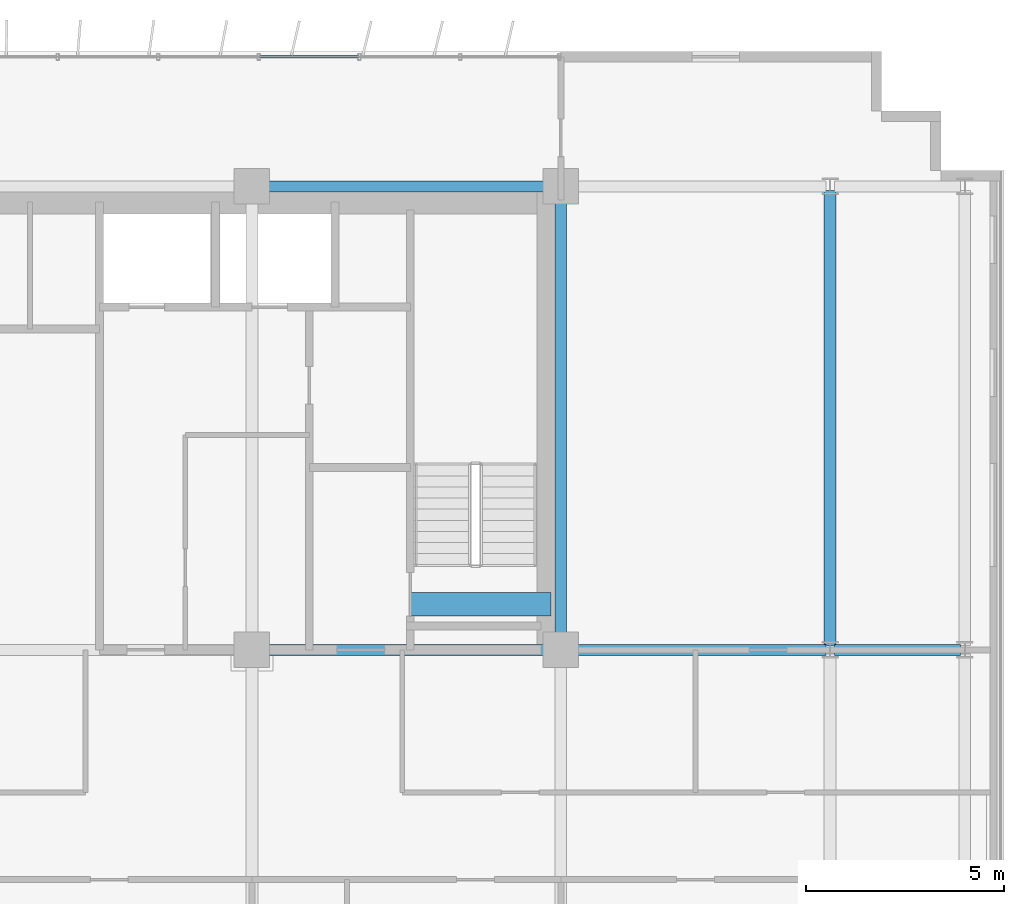
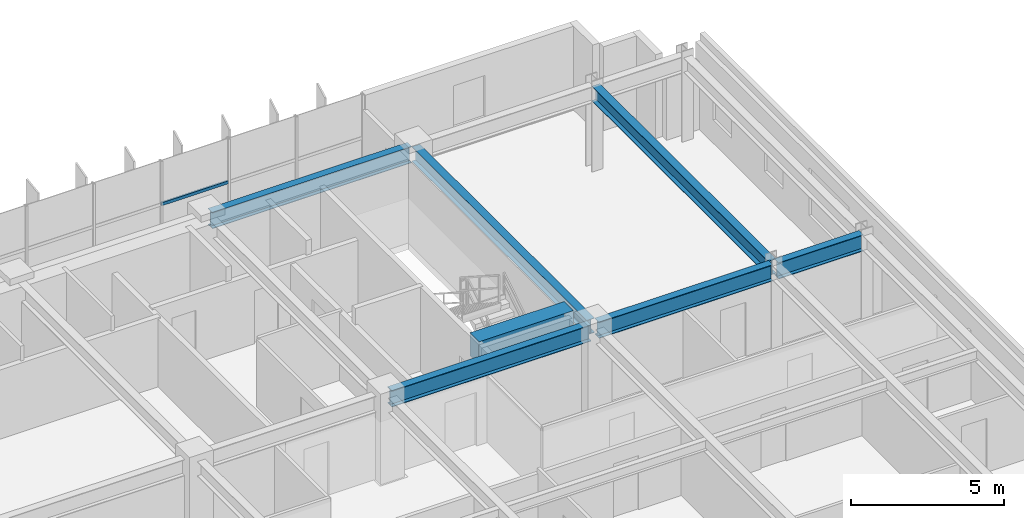
# One storey, part 11 of 22: 7 beams, 1 member, 1 element without a shape of its own.
"""IFC4 building model written with IfcOpenShell, lengths in metres."""

from ifc_helpers import new_model, si_unit, direction, frame, origin, origin_2d, place, context, subcontext, project, spatial, rectangle, hollow_rectangle, i_section, extrude, source, transform, mapped, material, material_profile, profile_set, type_object, element, aggregate, save


model = new_model("IFC4")

# Units and contexts
model_context = context("Model", 3, precision=1e-05, world=origin(), true_north=direction((0.0, 1.0)))
body_context = subcontext(model_context, "Body", "Model", "MODEL_VIEW")
ifc_project = project(units=[si_unit("LENGTHUNIT", "METRE"), si_unit("AREAUNIT", "SQUARE_METRE"), si_unit("VOLUMEUNIT", "CUBIC_METRE"), si_unit("PLANEANGLEUNIT", "RADIAN"), si_unit("MASSUNIT", "GRAM", prefix="KILO")], contexts=[model_context])

# Site, building, storey
site_placement = place(None, origin())
site = spatial("IfcSite", under=ifc_project, at=site_placement, CompositionType="ELEMENT")
building_placement = place(site_placement, origin())
building = spatial("IfcBuilding", under=site, at=building_placement, Name="Trelvane Seafront Commons", CompositionType="ELEMENT")
storey_placement = place(building_placement, frame((0.0, 0.0, 55.89990234375)))
storey = spatial("IfcBuildingStorey", under=building, at=storey_placement, Name="L14", CompositionType="ELEMENT", Elevation=55.89990234375)

# Beams
ifc_material_1 = material(Name="Concrete C60/75", Category="concrete")
ifc_material_profile_1 = material_profile(ifc_material_1, rectangle(XDim=0.60009765625, YDim=0.89990234375, at=origin_2d()), Name="RC-600x900")
ifc_profile_set_1 = profile_set([ifc_material_profile_1], Name="Concrete C60/75")
beam_type_1 = type_object("IfcBeamType", Name="STR-LNT-RC600x900", PredefinedType="LINTEL", material=ifc_profile_set_1)
shared_shape_1 = source(origin(), body_context, "Body", "SweptSolid", [
    extrude(rectangle(XDim=0.60009765625, YDim=0.89990234375, at=origin_2d()), origin(), (0.0, 0.0, 1.0), 3.550048828125),
])
beam_1_placement = place(storey_placement, frame((55.0, 34.550048828125, 2.89013671875), z_axis=(1.0, 0.0, 0.0), x_axis=(0.0, 1.0, 0.0)))
element("IfcBeam", 1, at=beam_1_placement, inside=storey, type_object=beam_type_1, Name="L14 Core Coupling Lintel Beam CB-86", PredefinedType="LINTEL", context=body_context, shape_type="MappedRepresentation", body=[
    mapped(shared_shape_1, transform((0.0, 0.0, 0.0), x_axis=(1.0, 0.0, 0.0), y_axis=(0.0, 1.0, 0.0), z_axis=(0.0, 0.0, 1.0), scale=1.0)),
])
ifc_material_2 = material(Name="Steel SM355 (S355)", Category="steel")
ifc_material_profile_2 = material_profile(ifc_material_2, i_section(OverallWidth=0.280029296875, OverallDepth=0.64990234375, WebThickness=0.012939453125, FlangeThickness=0.02197265625, at=origin_2d()), Name="H-650x280x13x22")
ifc_profile_set_2 = profile_set([ifc_material_profile_2], Name="Steel SM355 (S355)")
beam_type_2 = type_object("IfcBeamType", Name="STR-BM-H650", PredefinedType="BEAM", material=ifc_profile_set_2)
shared_shape_2 = source(origin(), body_context, "Body", "SweptSolid", [
    extrude(i_section(OverallWidth=0.280029296875, OverallDepth=0.64990234375, WebThickness=0.012939453125, FlangeThickness=0.02197265625, at=origin_2d()), origin(), (0.0, 0.0, 1.0), 3.18994140625),
])
beam_2_placement = place(storey_placement, frame((65.705078125, 33.39990234375, 3.01513671875), z_axis=(1.0, 0.0, 0.0), x_axis=(0.0, 1.0, 0.0)))
element("IfcBeam", 2, at=beam_2_placement, inside=storey, type_object=beam_type_2, Name="L14 Primary Girder G-27", PredefinedType="BEAM", context=body_context, shape_type="MappedRepresentation", body=[
    mapped(shared_shape_2, transform((0.0, 0.0, 0.0), x_axis=(1.0, 0.0, 0.0), y_axis=(0.0, 1.0, 0.0), z_axis=(0.0, 0.0, 1.0), scale=1.0)),
])
shared_shape_3 = source(origin(), body_context, "Body", "SweptSolid", [
    extrude(i_section(OverallWidth=0.280029296875, OverallDepth=0.64990234375, WebThickness=0.012939453125, FlangeThickness=0.02197265625, at=origin_2d()), origin(), (0.0, 0.0, 1.0), 6.545166015625),
])
beam_3_placement = place(storey_placement, frame((58.949951171875, 33.39990234375, 3.01513671875), z_axis=(1.0, 0.0, 0.0), x_axis=(0.0, 1.0, 0.0)))
element("IfcBeam", 3, at=beam_3_placement, inside=storey, type_object=beam_type_2, Name="L14 Primary Girder G-26", PredefinedType="BEAM", context=body_context, shape_type="MappedRepresentation", body=[
    mapped(shared_shape_3, transform((0.0, 0.0, 0.0), x_axis=(1.0, 0.0, 0.0), y_axis=(0.0, 1.0, 0.0), z_axis=(0.0, 0.0, 1.0), scale=1.0)),
])
shared_shape_4 = source(origin(), body_context, "Body", "SweptSolid", [
    extrude(i_section(OverallWidth=0.280029296875, OverallDepth=0.64990234375, WebThickness=0.012939453125, FlangeThickness=0.02197265625, at=origin_2d()), origin(), (0.0, 0.0, 1.0), 7.5),
])
for number, where, z_axis, x_axis, name in (
    (4, (51.14990234375, 33.39990234375, 3.01513671875), (1.0, 0.0, 0.0), (0.0, 1.0, 0.0), "L14 Primary Girder G-25"),
    (5, (51.14990234375, 45.10009765625, 3.01513671875), (1.0, 0.0, 0.0), (0.0, 1.0, 0.0), "L14 Primary Girder G-34"),
):
    element("IfcBeam", number, at=place(storey_placement, frame(where, z_axis=z_axis, x_axis=x_axis)), inside=storey, type_object=beam_type_2, Name=name, PredefinedType="BEAM", context=body_context, shape_type="MappedRepresentation", body=[
        mapped(shared_shape_4, transform((0.0, 0.0, 0.0), x_axis=(1.0, 0.0, 0.0), y_axis=(0.0, 1.0, 0.0), z_axis=(0.0, 0.0, 1.0), scale=1.0)),
    ])
ifc_material_profile_3 = material_profile(ifc_material_2, i_section(OverallWidth=0.300048828125, OverallDepth=0.587890625, WebThickness=0.011962890625, FlangeThickness=0.02001953125, at=origin_2d()), Name="H-588x300x12x20")
ifc_profile_set_3 = profile_set([ifc_material_profile_3], Name="Steel SM355 (S355)")
beam_type_3 = type_object("IfcBeamType", Name="STR-BM-H588", PredefinedType="BEAM", material=ifc_profile_set_3)
shared_shape_5 = source(origin(), body_context, "Body", "SweptSolid", [
    extrude(i_section(OverallWidth=0.300048828125, OverallDepth=0.587890625, WebThickness=0.011962890625, FlangeThickness=0.02001953125, at=origin_2d()), origin(), (0.0, 0.0, 1.0), 11.490234375),
])
beam_4_placement = place(storey_placement, frame((65.60009765625, 33.5048828125, 3.046142578125), z_axis=(0.0, 1.0, 0.0), x_axis=(-1.0, 0.0, 0.0)))
element("IfcBeam", 6, at=beam_4_placement, inside=storey, type_object=beam_type_3, Name="L14 Primary Girder G-63", PredefinedType="BEAM", context=body_context, shape_type="MappedRepresentation", body=[
    mapped(shared_shape_5, transform((0.0, 0.0, 0.0), x_axis=(1.0, 0.0, 0.0), y_axis=(0.0, 1.0, 0.0), z_axis=(0.0, 0.0, 1.0), scale=1.0)),
])
shared_shape_6 = source(origin(), body_context, "Body", "SweptSolid", [
    extrude(i_section(OverallWidth=0.300048828125, OverallDepth=0.587890625, WebThickness=0.011962890625, FlangeThickness=0.02001953125, at=origin_2d()), origin(), (0.0, 0.0, 1.0), 11.39990234375),
])
beam_5_placement = place(storey_placement, frame((58.800048828125, 33.550048828125, 3.046142578125), z_axis=(0.0, 1.0, 0.0), x_axis=(-1.0, 0.0, 0.0)))
element("IfcBeam", 7, at=beam_5_placement, inside=storey, type_object=beam_type_3, Name="L14 Primary Girder G-60", PredefinedType="BEAM", context=body_context, shape_type="MappedRepresentation", body=[
    mapped(shared_shape_6, transform((0.0, 0.0, 0.0), x_axis=(1.0, 0.0, 0.0), y_axis=(0.0, 1.0, 0.0), z_axis=(0.0, 0.0, 1.0), scale=1.0)),
])

# Curtain wall, member
ifc_material_3 = material(Name="Anodised pale-silver aluminium", Category="aluminium")
curtain_wall_type = type_object("IfcCurtainWallType", Name="ARCH-CW2-LOWTOWER", PredefinedType="NOTDEFINED", material=ifc_material_3)
curtain_wall_placement = place(storey_placement, origin())
curtain_wall = element("IfcCurtainWall", 8, at=curtain_wall_placement, inside=storey, type_object=curtain_wall_type, Name="CW-L14-0038", PredefinedType="NOTDEFINED")
ifc_material_profile_4 = material_profile(ifc_material_3, hollow_rectangle(XDim=0.070068359375, YDim=0.1201171875, WallThickness=0.00390625, at=origin_2d()), Name="TRAN-70x120x4")
ifc_profile_set_4 = profile_set([ifc_material_profile_4], Name="Anodised pale-silver aluminium")
member_type = type_object("IfcMemberType", Name="ARCH-CW-TRAN-120", PredefinedType="USERDEFINED", material=ifc_profile_set_4)
shared_shape_7 = source(origin(), body_context, "Body", "SweptSolid", [
    extrude(hollow_rectangle(XDim=0.070068359375, YDim=0.1201171875, WallThickness=0.00390625, at=origin_2d()), origin(), (0.0, 0.0, 1.0), 2.51708984375),
])
member_placement = place(storey_placement, frame((51.1884765625, 48.3701171875, 1.60302734375), z_axis=(1.0, 0.0, 0.0), x_axis=(0.0, 1.0, 0.0)))
member = element("IfcMember", 9, at=member_placement, type_object=member_type, Name="CW-L14-0038-T14", ObjectType="TRANSOM", PredefinedType="USERDEFINED", context=body_context, shape_type="MappedRepresentation", body=[
    mapped(shared_shape_7, transform((0.0, 0.0, 0.0), x_axis=(1.0, 0.0, 0.0), y_axis=(0.0, 1.0, 0.0), z_axis=(0.0, 0.0, 1.0), scale=1.0)),
])
aggregate(curtain_wall, [member])

save(model, "model.ifc")
